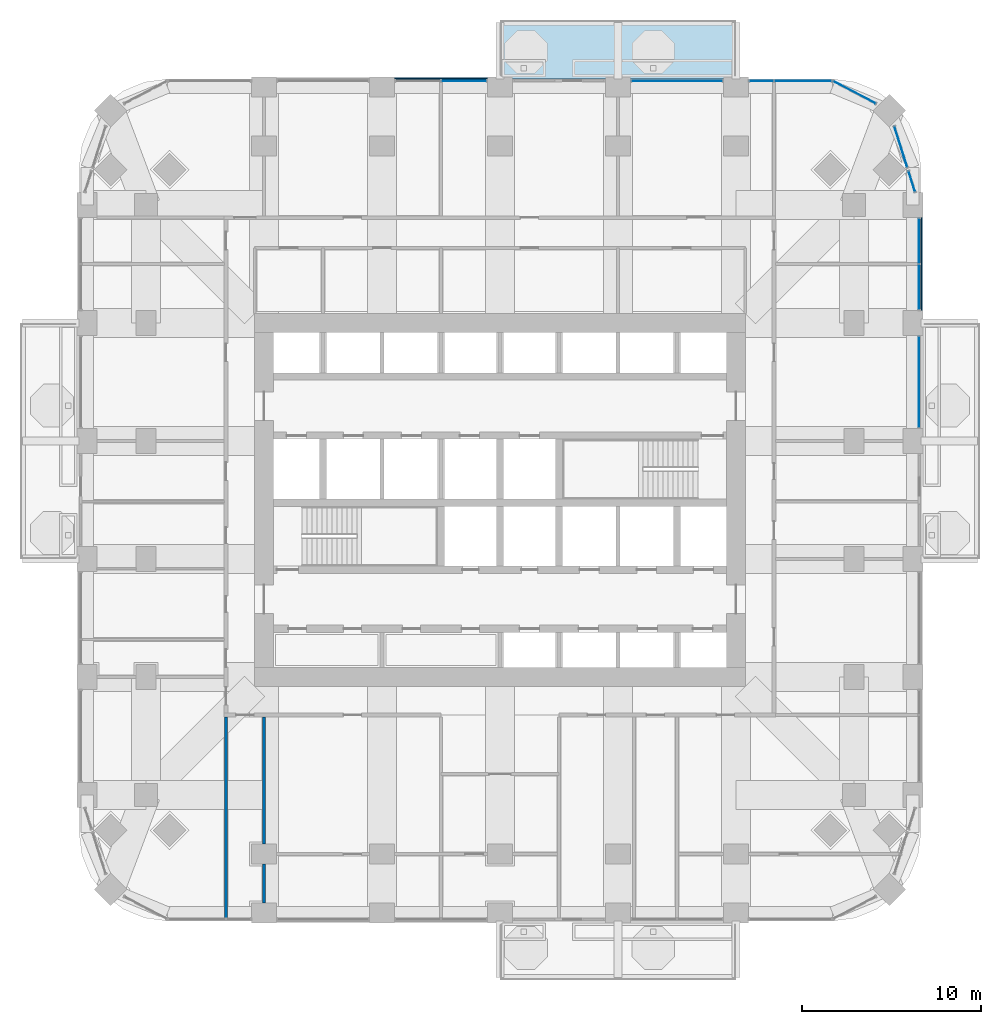
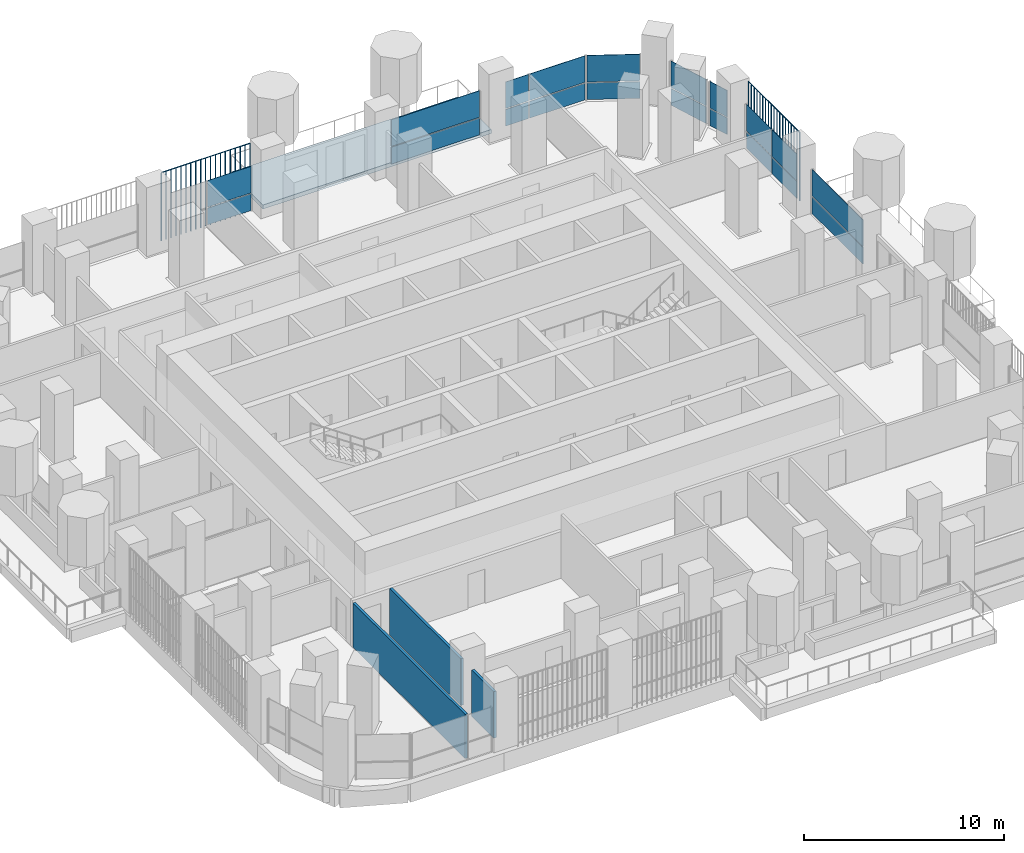
# One storey, part 13 of 23: 22 plates, 3 walls, 1 slab, 8 elements without a shape of their own.
"""IFC4 building model written with IfcOpenShell, lengths in metres."""

from ifc_helpers import new_model, si_unit, direction, frame, frame_2d, origin, origin_2d, place, context, subcontext, project, spatial, polyline, rectangle, outline, extrude, material, layer, layer_set, type_object, element, aggregate, save


model = new_model("IFC4")

# Units and contexts
model_context = context("Model", 3, precision=1e-05, world=origin(), true_north=direction((0.0, 1.0)))
body_context = subcontext(model_context, "Body", "Model", "MODEL_VIEW")
ifc_project = project(units=[si_unit("LENGTHUNIT", "METRE"), si_unit("AREAUNIT", "SQUARE_METRE"), si_unit("VOLUMEUNIT", "CUBIC_METRE"), si_unit("PLANEANGLEUNIT", "RADIAN"), si_unit("MASSUNIT", "GRAM", prefix="KILO")], contexts=[model_context])

# Site, building, storey
site_placement = place(None, origin())
site = spatial("IfcSite", under=ifc_project, at=site_placement, CompositionType="ELEMENT")
building_placement = place(site_placement, origin())
building = spatial("IfcBuilding", under=site, at=building_placement, Name="Cobogo Forest Laboratory Tower", CompositionType="ELEMENT")
storey_placement = place(building_placement, frame((0.0, 0.0, 128.39990234375)))
storey = spatial("IfcBuildingStorey", under=building, at=storey_placement, Name="L29", CompositionType="ELEMENT", Elevation=128.39990234375)

# Slab
ifc_material_1 = material(Name="Concrete HA-40 (C40/50)", Category="concrete")
ifc_layer_1 = layer(ifc_material_1, 0.25)
ifc_layer_set_1 = layer_set([ifc_layer_1], Name="Balcony slab 250")
slab_type = type_object("IfcSlabType", Name="Balcony slab 250", PredefinedType="FLOOR", material=ifc_layer_set_1)
slab_placement = place(storey_placement, frame((0.0, 0.0, -0.25)))
element("IfcSlab", 1, at=slab_placement, inside=storey, type_object=slab_type, Name="Balcony BAL-N1 L29", PredefinedType="FLOOR", context=body_context, shape_type="SweptSolid", body=[
    extrude(outline(polyline([(26.39990234375, 46.64990234375), (39.60009765625, 46.64990234375), (39.60009765625, 49.949951171875), (26.39990234375, 49.949951171875), (26.39990234375, 46.64990234375)])), origin(), (0.0, 0.0, 1.0), 0.25),
])

# Curtain wall, plates
ifc_material_2 = material(Name="Aluminium curtain wall", Category="aluminium")
curtain_wall_type = type_object("IfcCurtainWallType", Name="CW-1 unitised curtain wall, clear glazing, laboratory floors zones A and B", PredefinedType="USERDEFINED", material=ifc_material_2)
curtain_wall_1_placement = place(storey_placement, origin())
curtain_wall_1 = element("IfcCurtainWall", 2, at=curtain_wall_1_placement, inside=storey, type_object=curtain_wall_type, Name="Curtain wall 13 L29", ObjectType="UNITISED CURTAIN WALL", PredefinedType="USERDEFINED")
ifc_material_3 = material(Name="Clear insulated glass", Category="glass")
ifc_layer_2 = layer(ifc_material_3, 0.028076171875)
ifc_layer_set_2 = layer_set([ifc_layer_2], Name="GP-1 clear insulated glass unit 28")
plate_type_1 = type_object("IfcPlateType", Name="GP-1 clear insulated glass unit 28", PredefinedType="CURTAIN_PANEL", material=ifc_layer_set_2)
plate_1_placement = place(storey_placement, frame((49.85009765625, 29.699951171875, 0.0), z_axis=(0.0, 0.0, 1.0), x_axis=(0.0, 1.0, 0.0)))
plate_1 = element("IfcPlate", 3, at=plate_1_placement, type_object=plate_type_1, Name="CW-1 panel 1.1", PredefinedType="CURTAIN_PANEL", context=body_context, shape_type="SweptSolid", body=[
    extrude(rectangle(XDim=5.080078125, YDim=0.028076171875, at=origin_2d()), origin(), (0.0, 0.0, 1.0), 1.02001953125),
])
plate_2_placement = place(storey_placement, frame((49.85009765625, 29.699951171875, 1.080078125), z_axis=(0.0, 0.0, 1.0), x_axis=(0.0, 1.0, 0.0)))
plate_2 = element("IfcPlate", 4, at=plate_2_placement, type_object=plate_type_1, Name="CW-1 panel 1.2", PredefinedType="CURTAIN_PANEL", context=body_context, shape_type="SweptSolid", body=[
    extrude(rectangle(XDim=5.080078125, YDim=0.028076171875, at=origin_2d()), origin(), (0.0, 0.0, 1.0), 1.6201171875),
])
aggregate(curtain_wall_1, [plate_1, plate_2])

curtain_wall_2_placement = place(storey_placement, origin())
curtain_wall_2 = element("IfcCurtainWall", 5, at=curtain_wall_2_placement, inside=storey, type_object=curtain_wall_type, Name="Curtain wall 14 L29", ObjectType="UNITISED CURTAIN WALL", PredefinedType="USERDEFINED")
plate_3_placement = place(storey_placement, frame((49.85009765625, 35.014892578125, 0.0), z_axis=(0.0, 0.0, 1.0), x_axis=(0.0, 1.0, 0.0)))
plate_3 = element("IfcPlate", 6, at=plate_3_placement, type_object=plate_type_1, Name="CW-1 panel 1.1", PredefinedType="CURTAIN_PANEL", context=body_context, shape_type="SweptSolid", body=[
    extrude(rectangle(XDim=2.510009765625, YDim=0.028076171875, at=origin_2d()), origin(), (0.0, 0.0, 1.0), 1.02001953125),
])
plate_4_placement = place(storey_placement, frame((49.85009765625, 35.014892578125, 1.080078125), z_axis=(0.0, 0.0, 1.0), x_axis=(0.0, 1.0, 0.0)))
plate_4 = element("IfcPlate", 7, at=plate_4_placement, type_object=plate_type_1, Name="CW-1 panel 1.2", PredefinedType="CURTAIN_PANEL", context=body_context, shape_type="SweptSolid", body=[
    extrude(rectangle(XDim=2.510009765625, YDim=0.028076171875, at=origin_2d()), origin(), (0.0, 0.0, 1.0), 1.6201171875),
])
plate_5_placement = place(storey_placement, frame((49.85009765625, 37.5849609375, 0.0), z_axis=(0.0, 0.0, 1.0), x_axis=(0.0, 1.0, 0.0)))
plate_5 = element("IfcPlate", 8, at=plate_5_placement, type_object=plate_type_1, Name="CW-1 panel 2.1", PredefinedType="CURTAIN_PANEL", context=body_context, shape_type="SweptSolid", body=[
    extrude(rectangle(XDim=2.510009765625, YDim=0.028076171875, at=origin_2d()), origin(), (0.0, 0.0, 1.0), 1.02001953125),
])
plate_6_placement = place(storey_placement, frame((49.85009765625, 37.5849609375, 1.080078125), z_axis=(0.0, 0.0, 1.0), x_axis=(0.0, 1.0, 0.0)))
plate_6 = element("IfcPlate", 9, at=plate_6_placement, type_object=plate_type_1, Name="CW-1 panel 2.2", PredefinedType="CURTAIN_PANEL", context=body_context, shape_type="SweptSolid", body=[
    extrude(rectangle(XDim=2.510009765625, YDim=0.028076171875, at=origin_2d()), origin(), (0.0, 0.0, 1.0), 1.6201171875),
])
aggregate(curtain_wall_2, [plate_3, plate_4, plate_5, plate_6])

curtain_wall_3_placement = place(storey_placement, origin())
curtain_wall_3 = element("IfcCurtainWall", 10, at=curtain_wall_3_placement, inside=storey, type_object=curtain_wall_type, Name="Curtain wall 15 L29", ObjectType="UNITISED CURTAIN WALL", PredefinedType="USERDEFINED")
plate_7_placement = place(storey_placement, frame((49.433837890625, 40.917724609375, 0.0), z_axis=(0.0, 0.0, 1.0), x_axis=(-0.301135356805, 0.953581405483, 0.0)))
plate_7 = element("IfcPlate", 11, at=plate_7_placement, type_object=plate_type_1, Name="CW-1 panel 1.1", PredefinedType="CURTAIN_PANEL", context=body_context, shape_type="SweptSolid", body=[
    extrude(rectangle(XDim=1.17578125, YDim=0.028076171875, at=origin_2d()), origin(), (0.0, 0.0, 1.0), 1.02001953125),
])
plate_8_placement = place(storey_placement, frame((49.433837890625, 40.917724609375, 1.080078125), z_axis=(0.0, 0.0, 1.0), x_axis=(-0.301135356805, 0.953581405483, 0.0)))
plate_8 = element("IfcPlate", 12, at=plate_8_placement, type_object=plate_type_1, Name="CW-1 panel 1.2", PredefinedType="CURTAIN_PANEL", context=body_context, shape_type="SweptSolid", body=[
    extrude(rectangle(XDim=1.17578125, YDim=0.028076171875, at=origin_2d()), origin(), (0.0, 0.0, 1.0), 1.6201171875),
])
aggregate(curtain_wall_3, [plate_7, plate_8])

curtain_wall_4_placement = place(storey_placement, origin())
curtain_wall_4 = element("IfcCurtainWall", 13, at=curtain_wall_4_placement, inside=storey, type_object=curtain_wall_type, Name="Curtain wall 16 L29", ObjectType="UNITISED CURTAIN WALL", PredefinedType="USERDEFINED")
plate_9_placement = place(storey_placement, frame((48.8212890625, 42.857421875, 0.0), z_axis=(0.0, 0.0, 1.0), x_axis=(-0.301135291996, 0.953581425949, 0.0)))
plate_9 = element("IfcPlate", 14, at=plate_9_placement, type_object=plate_type_1, Name="CW-1 panel 1.1", PredefinedType="CURTAIN_PANEL", context=body_context, shape_type="SweptSolid", body=[
    extrude(rectangle(XDim=2.3681640625, YDim=0.028076171875, at=origin_2d()), origin(), (0.0, 0.0, 1.0), 1.02001953125),
])
plate_10_placement = place(storey_placement, frame((48.8212890625, 42.857421875, 1.080078125), z_axis=(0.0, 0.0, 1.0), x_axis=(-0.301135291996, 0.953581425949, 0.0)))
plate_10 = element("IfcPlate", 15, at=plate_10_placement, type_object=plate_type_1, Name="CW-1 panel 1.2", PredefinedType="CURTAIN_PANEL", context=body_context, shape_type="SweptSolid", body=[
    extrude(rectangle(XDim=2.3681640625, YDim=0.028076171875, at=origin_2d()), origin(), (0.0, 0.0, 1.0), 1.6201171875),
])
aggregate(curtain_wall_4, [plate_9, plate_10])

curtain_wall_5_placement = place(storey_placement, origin())
curtain_wall_5 = element("IfcCurtainWall", 16, at=curtain_wall_5_placement, inside=storey, type_object=curtain_wall_type, Name="Curtain wall 17 L29", ObjectType="UNITISED CURTAIN WALL", PredefinedType="USERDEFINED")
plate_11_placement = place(storey_placement, frame((46.229248046875, 45.90576171875, 0.0), z_axis=(0.0, 0.0, 1.0), x_axis=(-0.885686547075, 0.464283685186, 0.0)))
plate_11 = element("IfcPlate", 17, at=plate_11_placement, type_object=plate_type_1, Name="CW-1 panel 1.1", PredefinedType="CURTAIN_PANEL", context=body_context, shape_type="SweptSolid", body=[
    extrude(rectangle(XDim=2.655517578125, YDim=0.028076171875, at=origin_2d()), origin(), (0.0, 0.0, 1.0), 1.02001953125),
])
plate_12_placement = place(storey_placement, frame((46.229248046875, 45.90576171875, 1.080078125), z_axis=(0.0, 0.0, 1.0), x_axis=(-0.885686547075, 0.464283685186, 0.0)))
plate_12 = element("IfcPlate", 18, at=plate_12_placement, type_object=plate_type_1, Name="CW-1 panel 1.2", PredefinedType="CURTAIN_PANEL", context=body_context, shape_type="SweptSolid", body=[
    extrude(rectangle(XDim=2.655517578125, YDim=0.028076171875, at=origin_2d()), origin(), (0.0, 0.0, 1.0), 1.6201171875),
])
aggregate(curtain_wall_5, [plate_11, plate_12])

curtain_wall_6_placement = place(storey_placement, origin())
curtain_wall_6 = element("IfcCurtainWall", 19, at=curtain_wall_6_placement, inside=storey, type_object=curtain_wall_type, Name="Curtain wall 18 L29", ObjectType="UNITISED CURTAIN WALL", PredefinedType="USERDEFINED")
plate_13_placement = place(storey_placement, frame((43.347412109375, 46.550048828125, 0.0), z_axis=(0.0, 0.0, 1.0), x_axis=(-1.0, 0.0, 0.0)))
plate_13 = element("IfcPlate", 20, at=plate_13_placement, type_object=plate_type_1, Name="CW-1 panel 1.1", PredefinedType="CURTAIN_PANEL", context=body_context, shape_type="SweptSolid", body=[
    extrude(rectangle(XDim=3.18505859375, YDim=0.028076171875, at=origin_2d()), origin(), (0.0, 0.0, 1.0), 1.02001953125),
])
plate_14_placement = place(storey_placement, frame((43.347412109375, 46.550048828125, 1.080078125), z_axis=(0.0, 0.0, 1.0), x_axis=(-1.0, 0.0, 0.0)))
plate_14 = element("IfcPlate", 21, at=plate_14_placement, type_object=plate_type_1, Name="CW-1 panel 1.2", PredefinedType="CURTAIN_PANEL", context=body_context, shape_type="SweptSolid", body=[
    extrude(rectangle(XDim=3.18505859375, YDim=0.028076171875, at=origin_2d()), origin(), (0.0, 0.0, 1.0), 1.6201171875),
])
plate_15_placement = place(storey_placement, frame((41.027587890625, 46.550048828125, 0.0), z_axis=(0.0, 0.0, 1.0), x_axis=(-1.0, 0.0, 0.0)))
plate_15 = element("IfcPlate", 22, at=plate_15_placement, type_object=plate_type_1, Name="CW-1 panel 2.1", PredefinedType="CURTAIN_PANEL", context=body_context, shape_type="SweptSolid", body=[
    extrude(rectangle(XDim=1.3349609375, YDim=0.028076171875, at=origin_2d()), origin(), (0.0, 0.0, 1.0), 1.02001953125),
])
plate_16_placement = place(storey_placement, frame((41.027587890625, 46.550048828125, 1.080078125), z_axis=(0.0, 0.0, 1.0), x_axis=(-1.0, 0.0, 0.0)))
plate_16 = element("IfcPlate", 23, at=plate_16_placement, type_object=plate_type_1, Name="CW-1 panel 2.2", PredefinedType="CURTAIN_PANEL", context=body_context, shape_type="SweptSolid", body=[
    extrude(rectangle(XDim=1.3349609375, YDim=0.028076171875, at=origin_2d()), origin(), (0.0, 0.0, 1.0), 1.6201171875),
])
aggregate(curtain_wall_6, [plate_13, plate_14, plate_15, plate_16])

curtain_wall_7_placement = place(storey_placement, origin())
curtain_wall_7 = element("IfcCurtainWall", 24, at=curtain_wall_7_placement, inside=storey, type_object=curtain_wall_type, Name="Curtain wall 19 L29", ObjectType="UNITISED CURTAIN WALL", PredefinedType="USERDEFINED")
plate_17_placement = place(storey_placement, frame((36.300048828125, 46.550048828125, 0.0), z_axis=(0.0, 0.0, 1.0), x_axis=(-1.0, 0.0, 0.0)))
plate_17 = element("IfcPlate", 25, at=plate_17_placement, type_object=plate_type_1, Name="CW-1 panel 1.1", PredefinedType="CURTAIN_PANEL", context=body_context, shape_type="SweptSolid", body=[
    extrude(rectangle(XDim=5.080078125, YDim=0.028076171875, at=origin_2d()), origin(), (0.0, 0.0, 1.0), 1.02001953125),
])
plate_18_placement = place(storey_placement, frame((36.300048828125, 46.550048828125, 1.080078125), z_axis=(0.0, 0.0, 1.0), x_axis=(-1.0, 0.0, 0.0)))
plate_18 = element("IfcPlate", 26, at=plate_18_placement, type_object=plate_type_1, Name="CW-1 panel 1.2", PredefinedType="CURTAIN_PANEL", context=body_context, shape_type="SweptSolid", body=[
    extrude(rectangle(XDim=5.080078125, YDim=0.028076171875, at=origin_2d()), origin(), (0.0, 0.0, 1.0), 1.6201171875),
])
aggregate(curtain_wall_7, [plate_17, plate_18])

curtain_wall_8_placement = place(storey_placement, origin())
curtain_wall_8 = element("IfcCurtainWall", 27, at=curtain_wall_8_placement, inside=storey, type_object=curtain_wall_type, Name="Curtain wall 21 L29", ObjectType="UNITISED CURTAIN WALL", PredefinedType="USERDEFINED")
plate_19_placement = place(storey_placement, frame((24.385009765625, 46.550048828125, 0.0), z_axis=(0.0, 0.0, 1.0), x_axis=(-1.0, 0.0, 0.0)))
plate_19 = element("IfcPlate", 28, at=plate_19_placement, type_object=plate_type_1, Name="CW-1 panel 1.1", PredefinedType="CURTAIN_PANEL", context=body_context, shape_type="SweptSolid", body=[
    extrude(rectangle(XDim=2.510009765625, YDim=0.028076171875, at=origin_2d()), origin(), (0.0, 0.0, 1.0), 1.02001953125),
])
plate_20_placement = place(storey_placement, frame((24.385009765625, 46.550048828125, 1.080078125), z_axis=(0.0, 0.0, 1.0), x_axis=(-1.0, 0.0, 0.0)))
plate_20 = element("IfcPlate", 29, at=plate_20_placement, type_object=plate_type_1, Name="CW-1 panel 1.2", PredefinedType="CURTAIN_PANEL", context=body_context, shape_type="SweptSolid", body=[
    extrude(rectangle(XDim=2.510009765625, YDim=0.028076171875, at=origin_2d()), origin(), (0.0, 0.0, 1.0), 1.6201171875),
])
aggregate(curtain_wall_8, [plate_19, plate_20])

# Plates
ifc_material_4 = material(Name="Terracotta", Category="masonry")
plate_type_2 = type_object("IfcPlateType", Name="TB1 terracotta baguette screen", PredefinedType="USERDEFINED", material=ifc_material_4)
plate_21_placement = place(storey_placement, frame((49.977783203125, 33.731201171875, -0.14990234375)))
element("IfcPlate", 30, at=plate_21_placement, inside=storey, type_object=plate_type_2, Name="Baguette screen E5 L29", ObjectType="BAGUETTE SCREEN", PredefinedType="USERDEFINED", context=body_context, shape_type="SweptSolid", body=[
    extrude(outline(polyline([(0.02880859375, 0.011962890625), (0.011962890625, 0.02880859375), (-0.011962890625, 0.02880859375), (-0.02880859375, 0.011962890625), (-0.02880859375, -0.011962890625), (-0.011962890625, -0.02880859375), (0.011962890625, -0.02880859375), (0.02880859375, -0.011962890625), (0.02880859375, 0.011962890625)])), frame((0.0, 0.0, 4.168701171875), z_axis=(0.0, 1.0, 0.0), x_axis=(-1.0, 0.0, 0.0)), (0.0, 0.0, 1.0), 5.137451171875),
    extrude(outline(polyline([(0.02880859375, 0.011962890625), (0.011962890625, 0.02880859375), (-0.011962890625, 0.02880859375), (-0.02880859375, 0.011962890625), (-0.02880859375, -0.011962890625), (-0.011962890625, -0.02880859375), (0.011962890625, -0.02880859375), (0.02880859375, -0.011962890625), (0.02880859375, 0.011962890625)])), origin(), (0.0, 0.0, 1.0), 4.137451171875),
    extrude(outline(polyline([(0.02880859375, 0.011962890625), (0.011962890625, 0.02880859375), (-0.011962890625, 0.02880859375), (-0.02880859375, 0.011962890625), (-0.02880859375, -0.011962890625), (-0.011962890625, -0.02880859375), (0.011962890625, -0.02880859375), (0.02880859375, -0.011962890625), (0.02880859375, 0.011962890625)])), frame((0.0, 0.285400390625, 0.0)), (0.0, 0.0, 1.0), 4.137451171875),
    extrude(outline(polyline([(0.02880859375, 0.011962890625), (0.011962890625, 0.02880859375), (-0.011962890625, 0.02880859375), (-0.02880859375, 0.011962890625), (-0.02880859375, -0.011962890625), (-0.011962890625, -0.02880859375), (0.011962890625, -0.02880859375), (0.02880859375, -0.011962890625), (0.02880859375, 0.011962890625)])), frame((0.0, 0.57080078125, 0.0)), (0.0, 0.0, 1.0), 4.137451171875),
    extrude(outline(polyline([(0.02880859375, 0.011962890625), (0.011962890625, 0.02880859375), (-0.011962890625, 0.02880859375), (-0.02880859375, 0.011962890625), (-0.02880859375, -0.011962890625), (-0.011962890625, -0.02880859375), (0.011962890625, -0.02880859375), (0.02880859375, -0.011962890625), (0.02880859375, 0.011962890625)])), frame((0.0, 0.856201171875, 0.0)), (0.0, 0.0, 1.0), 4.137451171875),
    extrude(outline(polyline([(0.02880859375, 0.011962890625), (0.011962890625, 0.02880859375), (-0.011962890625, 0.02880859375), (-0.02880859375, 0.011962890625), (-0.02880859375, -0.011962890625), (-0.011962890625, -0.02880859375), (0.011962890625, -0.02880859375), (0.02880859375, -0.011962890625), (0.02880859375, 0.011962890625)])), frame((0.0, 1.1416015625, 0.0)), (0.0, 0.0, 1.0), 4.137451171875),
    extrude(outline(polyline([(0.02880859375, 0.011962890625), (0.011962890625, 0.02880859375), (-0.011962890625, 0.02880859375), (-0.02880859375, 0.011962890625), (-0.02880859375, -0.011962890625), (-0.011962890625, -0.02880859375), (0.011962890625, -0.02880859375), (0.02880859375, -0.011962890625), (0.02880859375, 0.011962890625)])), frame((0.0, 1.427001953125, 0.0)), (0.0, 0.0, 1.0), 4.137451171875),
    extrude(outline(polyline([(0.02880859375, 0.011962890625), (0.011962890625, 0.02880859375), (-0.011962890625, 0.02880859375), (-0.02880859375, 0.011962890625), (-0.02880859375, -0.011962890625), (-0.011962890625, -0.02880859375), (0.011962890625, -0.02880859375), (0.02880859375, -0.011962890625), (0.02880859375, 0.011962890625)])), frame((0.0, 1.71240234375, 0.0)), (0.0, 0.0, 1.0), 4.137451171875),
    extrude(outline(polyline([(0.02880859375, 0.011962890625), (0.011962890625, 0.02880859375), (-0.011962890625, 0.02880859375), (-0.02880859375, 0.011962890625), (-0.02880859375, -0.011962890625), (-0.011962890625, -0.02880859375), (0.011962890625, -0.02880859375), (0.02880859375, -0.011962890625), (0.02880859375, 0.011962890625)])), frame((0.0, 1.997802734375, 0.0)), (0.0, 0.0, 1.0), 4.137451171875),
    extrude(outline(polyline([(0.02880859375, 0.011962890625), (0.011962890625, 0.02880859375), (-0.011962890625, 0.02880859375), (-0.02880859375, 0.011962890625), (-0.02880859375, -0.011962890625), (-0.011962890625, -0.02880859375), (0.011962890625, -0.02880859375), (0.02880859375, -0.011962890625), (0.02880859375, 0.011962890625)])), frame((0.0, 2.283203125, 0.0)), (0.0, 0.0, 1.0), 4.137451171875),
    extrude(outline(polyline([(0.02880859375, 0.011962890625), (0.011962890625, 0.02880859375), (-0.011962890625, 0.02880859375), (-0.02880859375, 0.011962890625), (-0.02880859375, -0.011962890625), (-0.011962890625, -0.02880859375), (0.011962890625, -0.02880859375), (0.02880859375, -0.011962890625), (0.02880859375, 0.011962890625)])), frame((0.0, 2.56884765625, 0.0)), (0.0, 0.0, 1.0), 4.137451171875),
    extrude(outline(polyline([(0.02880859375, 0.011962890625), (0.011962890625, 0.02880859375), (-0.011962890625, 0.02880859375), (-0.02880859375, 0.011962890625), (-0.02880859375, -0.011962890625), (-0.011962890625, -0.02880859375), (0.011962890625, -0.02880859375), (0.02880859375, -0.011962890625), (0.02880859375, 0.011962890625)])), frame((0.0, 2.854248046875, 0.0)), (0.0, 0.0, 1.0), 4.137451171875),
    extrude(outline(polyline([(0.02880859375, 0.011962890625), (0.011962890625, 0.02880859375), (-0.011962890625, 0.02880859375), (-0.02880859375, 0.011962890625), (-0.02880859375, -0.011962890625), (-0.011962890625, -0.02880859375), (0.011962890625, -0.02880859375), (0.02880859375, -0.011962890625), (0.02880859375, 0.011962890625)])), frame((0.0, 3.1396484375, 0.0)), (0.0, 0.0, 1.0), 4.137451171875),
    extrude(outline(polyline([(0.02880859375, 0.011962890625), (0.011962890625, 0.02880859375), (-0.011962890625, 0.02880859375), (-0.02880859375, 0.011962890625), (-0.02880859375, -0.011962890625), (-0.011962890625, -0.02880859375), (0.011962890625, -0.02880859375), (0.02880859375, -0.011962890625), (0.02880859375, 0.011962890625)])), frame((0.0, 3.425048828125, 0.0)), (0.0, 0.0, 1.0), 4.137451171875),
    extrude(outline(polyline([(0.02880859375, 0.011962890625), (0.011962890625, 0.02880859375), (-0.011962890625, 0.02880859375), (-0.02880859375, 0.011962890625), (-0.02880859375, -0.011962890625), (-0.011962890625, -0.02880859375), (0.011962890625, -0.02880859375), (0.02880859375, -0.011962890625), (0.02880859375, 0.011962890625)])), frame((0.0, 3.71044921875, 0.0)), (0.0, 0.0, 1.0), 4.137451171875),
    extrude(outline(polyline([(0.02880859375, 0.011962890625), (0.011962890625, 0.02880859375), (-0.011962890625, 0.02880859375), (-0.02880859375, 0.011962890625), (-0.02880859375, -0.011962890625), (-0.011962890625, -0.02880859375), (0.011962890625, -0.02880859375), (0.02880859375, -0.011962890625), (0.02880859375, 0.011962890625)])), frame((0.0, 3.995849609375, 0.0)), (0.0, 0.0, 1.0), 4.137451171875),
    extrude(outline(polyline([(0.02880859375, 0.011962890625), (0.011962890625, 0.02880859375), (-0.011962890625, 0.02880859375), (-0.02880859375, 0.011962890625), (-0.02880859375, -0.011962890625), (-0.011962890625, -0.02880859375), (0.011962890625, -0.02880859375), (0.02880859375, -0.011962890625), (0.02880859375, 0.011962890625)])), frame((0.0, 4.28125, 0.0)), (0.0, 0.0, 1.0), 4.137451171875),
    extrude(outline(polyline([(0.02880859375, 0.011962890625), (0.011962890625, 0.02880859375), (-0.011962890625, 0.02880859375), (-0.02880859375, 0.011962890625), (-0.02880859375, -0.011962890625), (-0.011962890625, -0.02880859375), (0.011962890625, -0.02880859375), (0.02880859375, -0.011962890625), (0.02880859375, 0.011962890625)])), frame((0.0, 4.566650390625, 0.0)), (0.0, 0.0, 1.0), 4.137451171875),
    extrude(outline(polyline([(0.02880859375, 0.011962890625), (0.011962890625, 0.02880859375), (-0.011962890625, 0.02880859375), (-0.02880859375, 0.011962890625), (-0.02880859375, -0.011962890625), (-0.011962890625, -0.02880859375), (0.011962890625, -0.02880859375), (0.02880859375, -0.011962890625), (0.02880859375, 0.011962890625)])), frame((0.0, 4.85205078125, 0.0)), (0.0, 0.0, 1.0), 4.137451171875),
    extrude(outline(polyline([(0.02880859375, 0.011962890625), (0.011962890625, 0.02880859375), (-0.011962890625, 0.02880859375), (-0.02880859375, 0.011962890625), (-0.02880859375, -0.011962890625), (-0.011962890625, -0.02880859375), (0.011962890625, -0.02880859375), (0.02880859375, -0.011962890625), (0.02880859375, 0.011962890625)])), frame((0.0, 5.137451171875, 0.0)), (0.0, 0.0, 1.0), 4.137451171875),
])
plate_22_placement = place(storey_placement, frame((20.53125, 46.677978515625, -0.14990234375)))
element("IfcPlate", 31, at=plate_22_placement, inside=storey, type_object=plate_type_2, Name="Baguette screen N2 L29", ObjectType="BAGUETTE SCREEN", PredefinedType="USERDEFINED", context=body_context, shape_type="SweptSolid", body=[
    extrude(outline(polyline([(0.02880859375, 0.011962890625), (0.011962890625, 0.02880859375), (-0.011962890625, 0.02880859375), (-0.02880859375, 0.011962890625), (-0.02880859375, -0.011962890625), (-0.011962890625, -0.02880859375), (0.011962890625, -0.02880859375), (0.02880859375, -0.011962890625), (0.02880859375, 0.011962890625)])), frame((0.0, 0.0, 4.168701171875), z_axis=(1.0, 0.0, 0.0), x_axis=(0.0, 1.0, 0.0)), (0.0, 0.0, 1.0), 5.137451171875),
    extrude(outline(polyline([(0.02880859375, 0.011962890625), (0.011962890625, 0.02880859375), (-0.011962890625, 0.02880859375), (-0.02880859375, 0.011962890625), (-0.02880859375, -0.011962890625), (-0.011962890625, -0.02880859375), (0.011962890625, -0.02880859375), (0.02880859375, -0.011962890625), (0.02880859375, 0.011962890625)])), origin(), (0.0, 0.0, 1.0), 4.137451171875),
    extrude(outline(polyline([(0.02880859375, 0.011962890625), (0.011962890625, 0.02880859375), (-0.011962890625, 0.02880859375), (-0.02880859375, 0.011962890625), (-0.02880859375, -0.011962890625), (-0.011962890625, -0.02880859375), (0.011962890625, -0.02880859375), (0.02880859375, -0.011962890625), (0.02880859375, 0.011962890625)])), frame((0.285400390625, 0.0, 0.0)), (0.0, 0.0, 1.0), 4.137451171875),
    extrude(outline(polyline([(0.02880859375, 0.011962890625), (0.011962890625, 0.02880859375), (-0.011962890625, 0.02880859375), (-0.02880859375, 0.011962890625), (-0.02880859375, -0.011962890625), (-0.011962890625, -0.02880859375), (0.011962890625, -0.02880859375), (0.02880859375, -0.011962890625), (0.02880859375, 0.011962890625)])), frame((0.57080078125, 0.0, 0.0)), (0.0, 0.0, 1.0), 4.137451171875),
    extrude(outline(polyline([(0.02880859375, 0.011962890625), (0.011962890625, 0.02880859375), (-0.011962890625, 0.02880859375), (-0.02880859375, 0.011962890625), (-0.02880859375, -0.011962890625), (-0.011962890625, -0.02880859375), (0.011962890625, -0.02880859375), (0.02880859375, -0.011962890625), (0.02880859375, 0.011962890625)])), frame((0.856201171875, 0.0, 0.0)), (0.0, 0.0, 1.0), 4.137451171875),
    extrude(outline(polyline([(0.02880859375, 0.011962890625), (0.011962890625, 0.02880859375), (-0.011962890625, 0.02880859375), (-0.02880859375, 0.011962890625), (-0.02880859375, -0.011962890625), (-0.011962890625, -0.02880859375), (0.011962890625, -0.02880859375), (0.02880859375, -0.011962890625), (0.02880859375, 0.011962890625)])), frame((1.1416015625, 0.0, 0.0)), (0.0, 0.0, 1.0), 4.137451171875),
    extrude(outline(polyline([(0.02880859375, 0.011962890625), (0.011962890625, 0.02880859375), (-0.011962890625, 0.02880859375), (-0.02880859375, 0.011962890625), (-0.02880859375, -0.011962890625), (-0.011962890625, -0.02880859375), (0.011962890625, -0.02880859375), (0.02880859375, -0.011962890625), (0.02880859375, 0.011962890625)])), frame((1.427001953125, 0.0, 0.0)), (0.0, 0.0, 1.0), 4.137451171875),
    extrude(outline(polyline([(0.02880859375, 0.011962890625), (0.011962890625, 0.02880859375), (-0.011962890625, 0.02880859375), (-0.02880859375, 0.011962890625), (-0.02880859375, -0.011962890625), (-0.011962890625, -0.02880859375), (0.011962890625, -0.02880859375), (0.02880859375, -0.011962890625), (0.02880859375, 0.011962890625)])), frame((1.71240234375, 0.0, 0.0)), (0.0, 0.0, 1.0), 4.137451171875),
    extrude(outline(polyline([(0.02880859375, 0.011962890625), (0.011962890625, 0.02880859375), (-0.011962890625, 0.02880859375), (-0.02880859375, 0.011962890625), (-0.02880859375, -0.011962890625), (-0.011962890625, -0.02880859375), (0.011962890625, -0.02880859375), (0.02880859375, -0.011962890625), (0.02880859375, 0.011962890625)])), frame((1.997802734375, 0.0, 0.0)), (0.0, 0.0, 1.0), 4.137451171875),
    extrude(outline(polyline([(0.02880859375, 0.011962890625), (0.011962890625, 0.02880859375), (-0.011962890625, 0.02880859375), (-0.02880859375, 0.011962890625), (-0.02880859375, -0.011962890625), (-0.011962890625, -0.02880859375), (0.011962890625, -0.02880859375), (0.02880859375, -0.011962890625), (0.02880859375, 0.011962890625)])), frame((2.283203125, 0.0, 0.0)), (0.0, 0.0, 1.0), 4.137451171875),
    extrude(outline(polyline([(0.02880859375, 0.011962890625), (0.011962890625, 0.02880859375), (-0.011962890625, 0.02880859375), (-0.02880859375, 0.011962890625), (-0.02880859375, -0.011962890625), (-0.011962890625, -0.02880859375), (0.011962890625, -0.02880859375), (0.02880859375, -0.011962890625), (0.02880859375, 0.011962890625)])), frame((2.56884765625, 0.0, 0.0)), (0.0, 0.0, 1.0), 4.137451171875),
    extrude(outline(polyline([(0.02880859375, 0.011962890625), (0.011962890625, 0.02880859375), (-0.011962890625, 0.02880859375), (-0.02880859375, 0.011962890625), (-0.02880859375, -0.011962890625), (-0.011962890625, -0.02880859375), (0.011962890625, -0.02880859375), (0.02880859375, -0.011962890625), (0.02880859375, 0.011962890625)])), frame((2.854248046875, 0.0, 0.0)), (0.0, 0.0, 1.0), 4.137451171875),
    extrude(outline(polyline([(0.02880859375, 0.011962890625), (0.011962890625, 0.02880859375), (-0.011962890625, 0.02880859375), (-0.02880859375, 0.011962890625), (-0.02880859375, -0.011962890625), (-0.011962890625, -0.02880859375), (0.011962890625, -0.02880859375), (0.02880859375, -0.011962890625), (0.02880859375, 0.011962890625)])), frame((3.1396484375, 0.0, 0.0)), (0.0, 0.0, 1.0), 4.137451171875),
    extrude(outline(polyline([(0.02880859375, 0.011962890625), (0.011962890625, 0.02880859375), (-0.011962890625, 0.02880859375), (-0.02880859375, 0.011962890625), (-0.02880859375, -0.011962890625), (-0.011962890625, -0.02880859375), (0.011962890625, -0.02880859375), (0.02880859375, -0.011962890625), (0.02880859375, 0.011962890625)])), frame((3.425048828125, 0.0, 0.0)), (0.0, 0.0, 1.0), 4.137451171875),
    extrude(outline(polyline([(0.02880859375, 0.011962890625), (0.011962890625, 0.02880859375), (-0.011962890625, 0.02880859375), (-0.02880859375, 0.011962890625), (-0.02880859375, -0.011962890625), (-0.011962890625, -0.02880859375), (0.011962890625, -0.02880859375), (0.02880859375, -0.011962890625), (0.02880859375, 0.011962890625)])), frame((3.71044921875, 0.0, 0.0)), (0.0, 0.0, 1.0), 4.137451171875),
    extrude(outline(polyline([(0.02880859375, 0.011962890625), (0.011962890625, 0.02880859375), (-0.011962890625, 0.02880859375), (-0.02880859375, 0.011962890625), (-0.02880859375, -0.011962890625), (-0.011962890625, -0.02880859375), (0.011962890625, -0.02880859375), (0.02880859375, -0.011962890625), (0.02880859375, 0.011962890625)])), frame((3.995849609375, 0.0, 0.0)), (0.0, 0.0, 1.0), 4.137451171875),
    extrude(outline(polyline([(0.02880859375, 0.011962890625), (0.011962890625, 0.02880859375), (-0.011962890625, 0.02880859375), (-0.02880859375, 0.011962890625), (-0.02880859375, -0.011962890625), (-0.011962890625, -0.02880859375), (0.011962890625, -0.02880859375), (0.02880859375, -0.011962890625), (0.02880859375, 0.011962890625)])), frame((4.28125, 0.0, 0.0)), (0.0, 0.0, 1.0), 4.137451171875),
    extrude(outline(polyline([(0.02880859375, 0.011962890625), (0.011962890625, 0.02880859375), (-0.011962890625, 0.02880859375), (-0.02880859375, 0.011962890625), (-0.02880859375, -0.011962890625), (-0.011962890625, -0.02880859375), (0.011962890625, -0.02880859375), (0.02880859375, -0.011962890625), (0.02880859375, 0.011962890625)])), frame((4.566650390625, 0.0, 0.0)), (0.0, 0.0, 1.0), 4.137451171875),
    extrude(outline(polyline([(0.02880859375, 0.011962890625), (0.011962890625, 0.02880859375), (-0.011962890625, 0.02880859375), (-0.02880859375, 0.011962890625), (-0.02880859375, -0.011962890625), (-0.011962890625, -0.02880859375), (0.011962890625, -0.02880859375), (0.02880859375, -0.011962890625), (0.02880859375, 0.011962890625)])), frame((4.85205078125, 0.0, 0.0)), (0.0, 0.0, 1.0), 4.137451171875),
    extrude(outline(polyline([(0.02880859375, 0.011962890625), (0.011962890625, 0.02880859375), (-0.011962890625, 0.02880859375), (-0.02880859375, 0.011962890625), (-0.02880859375, -0.011962890625), (-0.011962890625, -0.02880859375), (0.011962890625, -0.02880859375), (0.02880859375, -0.011962890625), (0.02880859375, 0.011962890625)])), frame((5.137451171875, 0.0, 0.0)), (0.0, 0.0, 1.0), 4.137451171875),
])

# Walls
ifc_material_5 = material(Name="Gypsum board on steel studs", Category="steel")
ifc_layer_3 = layer(ifc_material_5, 0.14990234375)
ifc_layer_set_3 = layer_set([ifc_layer_3], Name="PT1 laboratory partition 150")
wall_type = type_object("IfcWallType", Name="PT1 laboratory partition 150", PredefinedType="PARTITIONING", material=ifc_layer_set_3)
wall_1_placement = place(storey_placement, frame((11.074951171875, -0.27001953125, 0.0), z_axis=(0.0, 0.0, 1.0), x_axis=(0.0, 1.0, 0.0)))
element("IfcWall", 32, at=wall_1_placement, inside=storey, type_object=wall_type, Name="Partition PW-SW L29", PredefinedType="PARTITIONING", context=body_context, shape_type="SweptSolid", body=[
    extrude(rectangle(XDim=11.2451171875, YDim=0.14990234375, at=frame_2d((5.62255859375, 0.0))), origin(), (0.0, 0.0, 1.0), 2.7001953125),
])
wall_2_placement = place(storey_placement, frame((13.199951171875, 0.550048828125, 0.0), z_axis=(0.0, 0.0, 1.0), x_axis=(0.0, 1.0, 0.0)))
element("IfcWall", 33, at=wall_2_placement, inside=storey, type_object=wall_type, Name="Partition CUT-S13.2-1 L29", PredefinedType="PARTITIONING", context=body_context, shape_type="SweptSolid", body=[
    extrude(rectangle(XDim=2.199951171875, YDim=0.14990234375, at=frame_2d((1.10009765625, 0.0))), origin(), (0.0, 0.0, 1.0), 2.85009765625),
])
wall_3_placement = place(storey_placement, frame((13.199951171875, 3.85009765625, 0.0), z_axis=(0.0, 0.0, 1.0), x_axis=(0.0, 1.0, 0.0)))
element("IfcWall", 34, at=wall_3_placement, inside=storey, type_object=wall_type, Name="Partition CUT-S13.2-2 L29", PredefinedType="PARTITIONING", context=body_context, shape_type="SweptSolid", body=[
    extrude(rectangle(XDim=7.125, YDim=0.14990234375, at=frame_2d((3.5625, 0.0))), origin(), (0.0, 0.0, 1.0), 2.85009765625),
])

save(model, "model.ifc")
